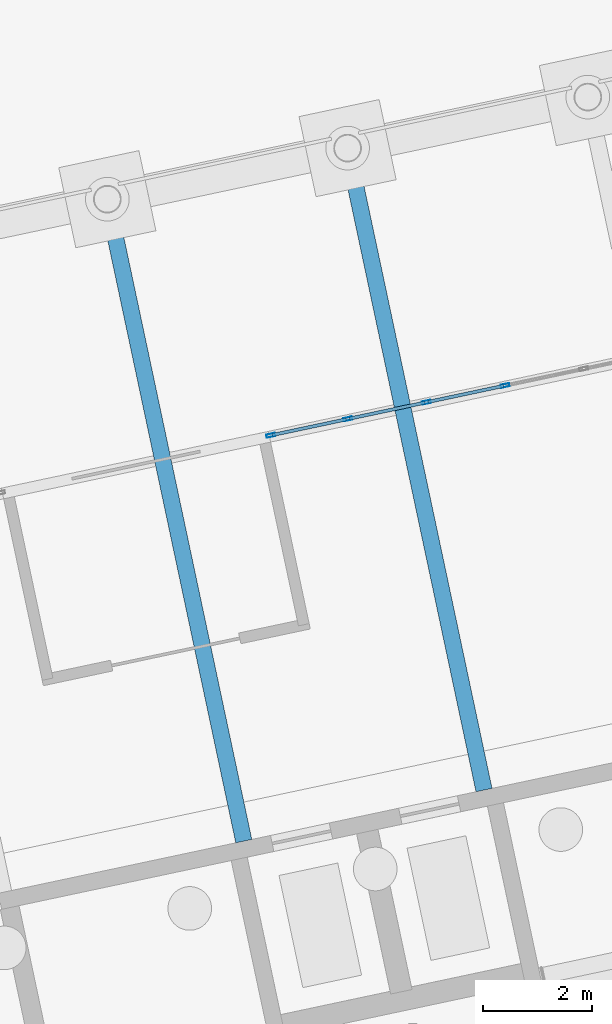
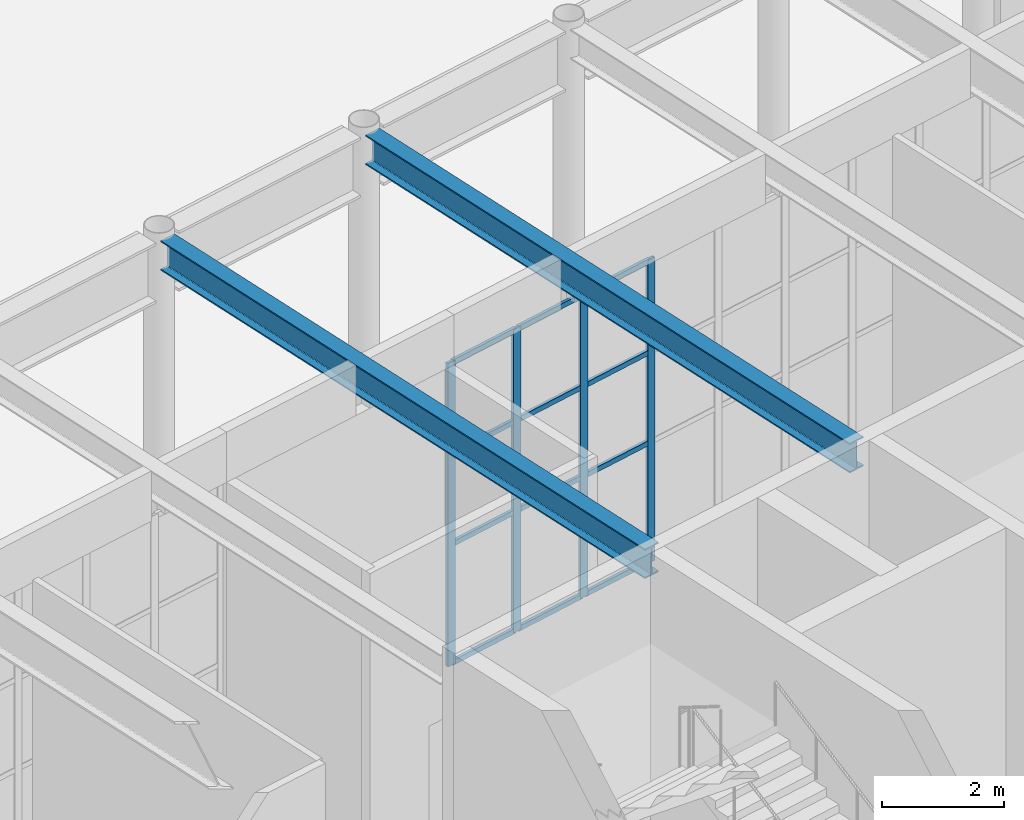
# One storey, part 83 of 239: 16 members, 2 beams, 1 element without a shape of its own.
"""IFC4 building model written with IfcOpenShell, lengths in metres."""

from ifc_helpers import new_model, si_unit, direction, frame, origin, origin_2d, place, context, subcontext, project, spatial, hollow_rectangle, i_section, extrude, material, material_profile, profile_set, type_object, element, aggregate, save


model = new_model("IFC4")

# Units and contexts
model_context = context("Model", 3, precision=1e-05, world=origin(), true_north=direction((0.0, 1.0)))
body_context = subcontext(model_context, "Body", "Model", "MODEL_VIEW")
ifc_project = project(units=[si_unit("LENGTHUNIT", "METRE"), si_unit("AREAUNIT", "SQUARE_METRE"), si_unit("VOLUMEUNIT", "CUBIC_METRE"), si_unit("PLANEANGLEUNIT", "RADIAN"), si_unit("MASSUNIT", "GRAM", prefix="KILO")], contexts=[model_context])

# Site, building, storey
site_placement = place(None, origin())
site = spatial("IfcSite", under=ifc_project, at=site_placement, CompositionType="ELEMENT")
building_placement = place(site_placement, origin())
building = spatial("IfcBuilding", under=site, at=building_placement, Name="Okhra Congress Centre", CompositionType="ELEMENT")
storey_placement = place(building_placement, origin())
storey = spatial("IfcBuildingStorey", under=building, at=storey_placement, Name="L00", CompositionType="ELEMENT", Elevation=0.0)

# Curtain wall, members
ifc_material_1 = material(Name="Aluminium curtain wall, triple glazing", Category="aluminium")
curtain_wall_type = type_object("IfcCurtainWallType", Name="Curtain wall 1500 module", PredefinedType="NOTDEFINED", material=ifc_material_1)
curtain_wall_placement = place(storey_placement, origin())
curtain_wall = element("IfcCurtainWall", 1, at=curtain_wall_placement, inside=storey, type_object=curtain_wall_type, Name="Ground curtain wall N9", PredefinedType="NOTDEFINED")
ifc_material_2 = material(Name="Aluminium alloy EN AW-6063 T66", Category="aluminium")
ifc_material_profile_1 = material_profile(ifc_material_2, hollow_rectangle(XDim=0.06005859375, YDim=0.159912109375, WallThickness=0.00390625, at=origin_2d()), Name="RHS 60x160x4")
ifc_profile_set_1 = profile_set([ifc_material_profile_1], Name="Aluminium alloy EN AW-6063 T66")
member_type_1 = type_object("IfcMemberType", Name="Curtain wall mullion 60x160", PredefinedType="MULLION", material=ifc_profile_set_1)
member_1_placement = place(storey_placement, frame((138.24609375, 62.798828125, 0.0), z_axis=(0.0, 0.0, 1.0), x_axis=(-0.207911690818, 0.978147600734, 0.0)))
member_1 = element("IfcMember", 2, at=member_1_placement, type_object=member_type_1, Name="CW7 mullion 1", PredefinedType="MULLION", context=body_context, shape_type="SweptSolid", body=[
    extrude(hollow_rectangle(XDim=0.06005859375, YDim=0.159912109375, WallThickness=0.00390625, at=origin_2d()), origin(), (0.0, 0.0, 1.0), 6.050048828125),
])
member_2_placement = place(storey_placement, frame((139.657470703125, 63.098876953125, 0.0), z_axis=(0.0, 0.0, 1.0), x_axis=(-0.207911690818, 0.978147600734, 0.0)))
member_2 = element("IfcMember", 3, at=member_2_placement, type_object=member_type_1, Name="CW7 mullion 2", PredefinedType="MULLION", context=body_context, shape_type="SweptSolid", body=[
    extrude(hollow_rectangle(XDim=0.06005859375, YDim=0.159912109375, WallThickness=0.00390625, at=origin_2d()), origin(), (0.0, 0.0, 1.0), 6.050048828125),
])
member_3_placement = place(storey_placement, frame((141.098388671875, 63.405029296875, 0.0), z_axis=(0.0, 0.0, 1.0), x_axis=(-0.207911690818, 0.978147600734, 0.0)))
member_3 = element("IfcMember", 4, at=member_3_placement, type_object=member_type_1, Name="CW7 mullion 3", PredefinedType="MULLION", context=body_context, shape_type="SweptSolid", body=[
    extrude(hollow_rectangle(XDim=0.06005859375, YDim=0.159912109375, WallThickness=0.00390625, at=origin_2d()), origin(), (0.0, 0.0, 1.0), 6.050048828125),
])
member_4_placement = place(storey_placement, frame((142.539306640625, 63.71142578125, 0.0), z_axis=(0.0, 0.0, 1.0), x_axis=(-0.207911690818, 0.978147600734, 0.0)))
member_4 = element("IfcMember", 5, at=member_4_placement, type_object=member_type_1, Name="CW7 mullion 4", PredefinedType="MULLION", context=body_context, shape_type="SweptSolid", body=[
    extrude(hollow_rectangle(XDim=0.06005859375, YDim=0.159912109375, WallThickness=0.00390625, at=origin_2d()), origin(), (0.0, 0.0, 1.0), 6.050048828125),
])
ifc_material_profile_2 = material_profile(ifc_material_2, hollow_rectangle(XDim=0.06005859375, YDim=0.10009765625, WallThickness=0.00390625, at=origin_2d()), Name="RHS 60x100x4")
ifc_profile_set_2 = profile_set([ifc_material_profile_2], Name="Aluminium alloy EN AW-6063 T66")
member_type_2 = type_object("IfcMemberType", Name="Curtain wall transom 60x100", PredefinedType="USERDEFINED", material=ifc_profile_set_2)
member_5_placement = place(storey_placement, frame((138.275390625, 62.804931640625, 0.030029296875), z_axis=(0.978139555078, 0.207949539051, 0.0), x_axis=(-0.207949539051, 0.978139555078, 0.0)))
member_5 = element("IfcMember", 6, at=member_5_placement, type_object=member_type_2, Name="CW7 transom 1.1", ObjectType="TRANSOM", PredefinedType="USERDEFINED", context=body_context, shape_type="SweptSolid", body=[
    extrude(hollow_rectangle(XDim=0.06005859375, YDim=0.10009765625, WallThickness=0.00390625, at=origin_2d()), origin(), (0.0, 0.0, 1.0), 1.383056640625),
])
member_6_placement = place(storey_placement, frame((138.275390625, 62.804931640625, 2.39990234375), z_axis=(0.978139555078, 0.207949539051, 0.0), x_axis=(-0.207949539051, 0.978139555078, 0.0)))
member_6 = element("IfcMember", 7, at=member_6_placement, type_object=member_type_2, Name="CW7 transom 1.2", ObjectType="TRANSOM", PredefinedType="USERDEFINED", context=body_context, shape_type="SweptSolid", body=[
    extrude(hollow_rectangle(XDim=0.06005859375, YDim=0.10009765625, WallThickness=0.00390625, at=origin_2d()), origin(), (0.0, 0.0, 1.0), 1.383056640625),
])
member_7_placement = place(storey_placement, frame((138.275390625, 62.804931640625, 4.199951171875), z_axis=(0.978139555078, 0.207949539051, 0.0), x_axis=(-0.207949539051, 0.978139555078, 0.0)))
member_7 = element("IfcMember", 8, at=member_7_placement, type_object=member_type_2, Name="CW7 transom 1.3", ObjectType="TRANSOM", PredefinedType="USERDEFINED", context=body_context, shape_type="SweptSolid", body=[
    extrude(hollow_rectangle(XDim=0.06005859375, YDim=0.10009765625, WallThickness=0.00390625, at=origin_2d()), origin(), (0.0, 0.0, 1.0), 1.383056640625),
])
member_8_placement = place(storey_placement, frame((138.275390625, 62.804931640625, 6.02001953125), z_axis=(0.978139555078, 0.207949539051, 0.0), x_axis=(-0.207949539051, 0.978139555078, 0.0)))
member_8 = element("IfcMember", 9, at=member_8_placement, type_object=member_type_2, Name="CW7 transom 1.4", ObjectType="TRANSOM", PredefinedType="USERDEFINED", context=body_context, shape_type="SweptSolid", body=[
    extrude(hollow_rectangle(XDim=0.06005859375, YDim=0.10009765625, WallThickness=0.00390625, at=origin_2d()), origin(), (0.0, 0.0, 1.0), 1.383056640625),
])
member_9_placement = place(storey_placement, frame((139.68701171875, 63.10498046875, 0.030029296875), z_axis=(0.978122388538, 0.208030269528, 0.0), x_axis=(-0.208030269528, 0.978122388538, 0.0)))
member_9 = element("IfcMember", 10, at=member_9_placement, type_object=member_type_2, Name="CW7 transom 2.1", ObjectType="TRANSOM", PredefinedType="USERDEFINED", context=body_context, shape_type="SweptSolid", body=[
    extrude(hollow_rectangle(XDim=0.06005859375, YDim=0.10009765625, WallThickness=0.00390625, at=origin_2d()), origin(), (0.0, 0.0, 1.0), 1.4130859375),
])
member_10_placement = place(storey_placement, frame((139.68701171875, 63.10498046875, 2.39990234375), z_axis=(0.978122388538, 0.208030269528, 0.0), x_axis=(-0.208030269528, 0.978122388538, 0.0)))
member_10 = element("IfcMember", 11, at=member_10_placement, type_object=member_type_2, Name="CW7 transom 2.2", ObjectType="TRANSOM", PredefinedType="USERDEFINED", context=body_context, shape_type="SweptSolid", body=[
    extrude(hollow_rectangle(XDim=0.06005859375, YDim=0.10009765625, WallThickness=0.00390625, at=origin_2d()), origin(), (0.0, 0.0, 1.0), 1.4130859375),
])
member_11_placement = place(storey_placement, frame((139.68701171875, 63.10498046875, 4.199951171875), z_axis=(0.978122388538, 0.208030269528, 0.0), x_axis=(-0.208030269528, 0.978122388538, 0.0)))
member_11 = element("IfcMember", 12, at=member_11_placement, type_object=member_type_2, Name="CW7 transom 2.3", ObjectType="TRANSOM", PredefinedType="USERDEFINED", context=body_context, shape_type="SweptSolid", body=[
    extrude(hollow_rectangle(XDim=0.06005859375, YDim=0.10009765625, WallThickness=0.00390625, at=origin_2d()), origin(), (0.0, 0.0, 1.0), 1.4130859375),
])
member_12_placement = place(storey_placement, frame((139.68701171875, 63.10498046875, 6.02001953125), z_axis=(0.978122388538, 0.208030269528, 0.0), x_axis=(-0.208030269528, 0.978122388538, 0.0)))
member_12 = element("IfcMember", 13, at=member_12_placement, type_object=member_type_2, Name="CW7 transom 2.4", ObjectType="TRANSOM", PredefinedType="USERDEFINED", context=body_context, shape_type="SweptSolid", body=[
    extrude(hollow_rectangle(XDim=0.06005859375, YDim=0.10009765625, WallThickness=0.00390625, at=origin_2d()), origin(), (0.0, 0.0, 1.0), 1.4130859375),
])
member_13_placement = place(storey_placement, frame((141.127685546875, 63.411376953125, 0.030029296875), z_axis=(0.978157533477, 0.207864955445, 0.0), x_axis=(-0.207864955445, 0.978157533477, 0.0)))
member_13 = element("IfcMember", 14, at=member_13_placement, type_object=member_type_2, Name="CW7 transom 3.1", ObjectType="TRANSOM", PredefinedType="USERDEFINED", context=body_context, shape_type="SweptSolid", body=[
    extrude(hollow_rectangle(XDim=0.06005859375, YDim=0.10009765625, WallThickness=0.00390625, at=origin_2d()), origin(), (0.0, 0.0, 1.0), 1.412841796875),
])
member_14_placement = place(storey_placement, frame((141.127685546875, 63.411376953125, 2.39990234375), z_axis=(0.978157533477, 0.207864955445, 0.0), x_axis=(-0.207864955445, 0.978157533477, 0.0)))
member_14 = element("IfcMember", 15, at=member_14_placement, type_object=member_type_2, Name="CW7 transom 3.2", ObjectType="TRANSOM", PredefinedType="USERDEFINED", context=body_context, shape_type="SweptSolid", body=[
    extrude(hollow_rectangle(XDim=0.06005859375, YDim=0.10009765625, WallThickness=0.00390625, at=origin_2d()), origin(), (0.0, 0.0, 1.0), 1.412841796875),
])
member_15_placement = place(storey_placement, frame((141.127685546875, 63.411376953125, 4.199951171875), z_axis=(0.978157533477, 0.207864955445, 0.0), x_axis=(-0.207864955445, 0.978157533477, 0.0)))
member_15 = element("IfcMember", 16, at=member_15_placement, type_object=member_type_2, Name="CW7 transom 3.3", ObjectType="TRANSOM", PredefinedType="USERDEFINED", context=body_context, shape_type="SweptSolid", body=[
    extrude(hollow_rectangle(XDim=0.06005859375, YDim=0.10009765625, WallThickness=0.00390625, at=origin_2d()), origin(), (0.0, 0.0, 1.0), 1.412841796875),
])
member_16_placement = place(storey_placement, frame((141.127685546875, 63.411376953125, 6.02001953125), z_axis=(0.978157533477, 0.207864955445, 0.0), x_axis=(-0.207864955445, 0.978157533477, 0.0)))
member_16 = element("IfcMember", 17, at=member_16_placement, type_object=member_type_2, Name="CW7 transom 3.4", ObjectType="TRANSOM", PredefinedType="USERDEFINED", context=body_context, shape_type="SweptSolid", body=[
    extrude(hollow_rectangle(XDim=0.06005859375, YDim=0.10009765625, WallThickness=0.00390625, at=origin_2d()), origin(), (0.0, 0.0, 1.0), 1.412841796875),
])
aggregate(curtain_wall, [member_1, member_2, member_3, member_4, member_5, member_6, member_7, member_8, member_9, member_10, member_11, member_12, member_13, member_14, member_15, member_16])

# Beams
ifc_material_3 = material(Name="Steel S355J2", Category="steel")
ifc_material_profile_3 = material_profile(ifc_material_3, i_section(OverallWidth=0.300048828125, OverallDepth=0.590087890625, WebThickness=0.012939453125, FlangeThickness=0.02490234375, FilletRadius=0.027099609375, at=origin_2d()), Name="HE 600 A")
ifc_profile_set_3 = profile_set([ifc_material_profile_3], Name="Steel S355J2")
beam_type = type_object("IfcBeamType", Name="Floor beam HE 600 A", PredefinedType="BEAM", material=ifc_profile_set_3)
beam_1_placement = place(storey_placement, frame((137.751220703125, 55.36328125, 6.7548828125), z_axis=(-0.207905918374, 0.978148827687, 0.0), x_axis=(-0.978148827687, -0.207905918374, 0.0)))
element("IfcBeam", 18, at=beam_1_placement, inside=storey, type_object=beam_type, Name="Floor beam 18.2", PredefinedType="BEAM", context=body_context, shape_type="SweptSolid", body=[
    extrude(i_section(OverallWidth=0.300048828125, OverallDepth=0.590087890625, WebThickness=0.012939453125, FlangeThickness=0.02490234375, FilletRadius=0.027099609375, at=origin_2d()), origin(), (0.0, 0.0, 1.0), 11.824951171875),
])
beam_2_placement = place(storey_placement, frame((142.15283203125, 56.299072265625, 6.7548828125), z_axis=(-0.207910117102, 0.978147935236, 0.0), x_axis=(-0.978147935236, -0.207910117102, 0.0)))
element("IfcBeam", 19, at=beam_2_placement, inside=storey, type_object=beam_type, Name="Floor beam 19.2", PredefinedType="BEAM", context=body_context, shape_type="SweptSolid", body=[
    extrude(i_section(OverallWidth=0.300048828125, OverallDepth=0.590087890625, WebThickness=0.012939453125, FlangeThickness=0.02490234375, FilletRadius=0.027099609375, at=origin_2d()), origin(), (0.0, 0.0, 1.0), 11.82470703125),
])

save(model, "model.ifc")
